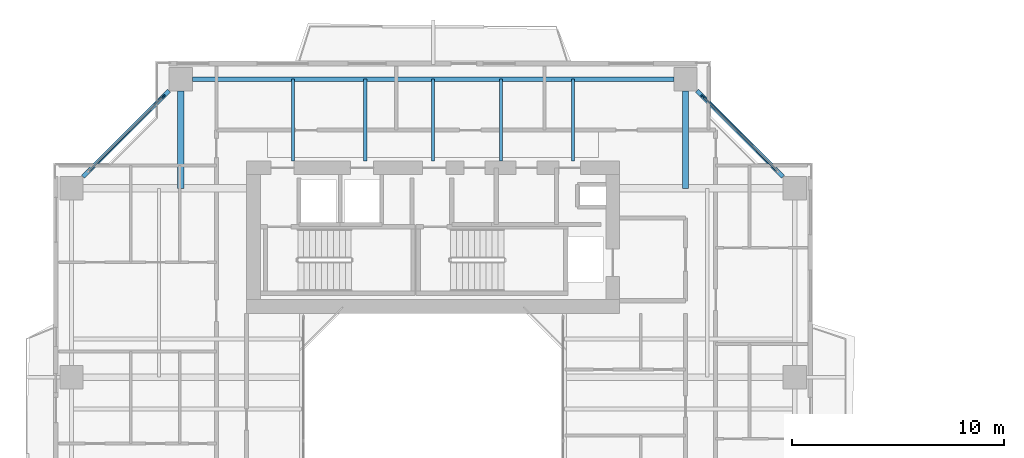
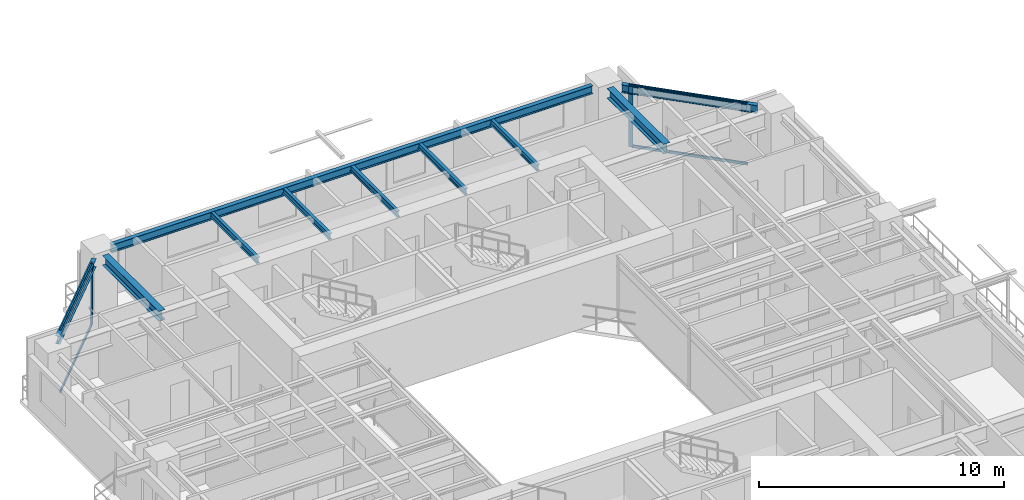
# One storey, part 10 of 24: 10 beams, 6 members, 2 elements without a shape of their own.
"""IFC4 building model written with IfcOpenShell, lengths in metres."""

from ifc_helpers import new_model, si_unit, direction, frame, origin, origin_2d, place, context, subcontext, project, spatial, rectangle, i_section, extrude, source, transform, mapped, material, layer, layer_set, material_profile, profile_set, type_object, element, aggregate, save


model = new_model("IFC4")

# Units and contexts
model_context = context("Model", 3, precision=1e-05, world=origin(), true_north=direction((0.0, 1.0)))
body_context = subcontext(model_context, "Body", "Model", "MODEL_VIEW")
ifc_project = project(units=[si_unit("LENGTHUNIT", "METRE"), si_unit("AREAUNIT", "SQUARE_METRE"), si_unit("VOLUMEUNIT", "CUBIC_METRE"), si_unit("PLANEANGLEUNIT", "RADIAN"), si_unit("MASSUNIT", "GRAM", prefix="KILO"), si_unit("THERMODYNAMICTEMPERATUREUNIT", "KELVIN"), si_unit("POWERUNIT", "WATT")], contexts=[model_context])

# Site, building, storey
site_placement = place(None, origin())
site = spatial("IfcSite", under=ifc_project, at=site_placement, CompositionType="ELEMENT")
building_placement = place(site_placement, origin())
building = spatial("IfcBuilding", under=site, at=building_placement, Name="Qiaomeng Ring Towers", CompositionType="ELEMENT")
storey_placement = place(building_placement, frame((0.0, 0.0, 110.0)))
storey = spatial("IfcBuildingStorey", under=building, at=storey_placement, Name="L31", CompositionType="ELEMENT", Elevation=110.0)

# Beams
ifc_material_1 = material(Name="Steel Q355B", Category="steel")
ifc_material_profile_1 = material_profile(ifc_material_1, i_section(OverallWidth=0.199951171875, OverallDepth=0.39990234375, WebThickness=0.008056640625, FlangeThickness=0.012939453125, FilletRadius=0.01611328125, at=origin_2d()), Name="HN 400x200x8x13")
ifc_profile_set_1 = profile_set([ifc_material_profile_1], Name="Steel Q355B")
beam_type_1 = type_object("IfcBeamType", Name="STR-BM-HN400", PredefinedType="SPANDREL", material=ifc_profile_set_1)
shared_shape_1 = source(origin(), body_context, "Body", "SweptSolid", [
    extrude(i_section(OverallWidth=0.199951171875, OverallDepth=0.39990234375, WebThickness=0.008056640625, FlangeThickness=0.012939453125, FilletRadius=0.01611328125, at=origin_2d()), origin(), (0.0, 0.0, 1.0), 22.7021484375),
])
beam_placement = place(storey_placement, frame((30.35107421875, 40.050048828125, 2.8701171875), z_axis=(-1.0, 0.0, 0.0), x_axis=(0.0, -1.0, 0.0)))
element("IfcBeam", 1, at=beam_placement, inside=storey, type_object=beam_type_1, Name="L31 beam STR-SP-L31-T1-N2-N1", PredefinedType="SPANDREL", context=body_context, shape_type="MappedRepresentation", body=[
    mapped(shared_shape_1, transform((0.0, 0.0, 0.0), x_axis=(1.0, 0.0, 0.0), y_axis=(0.0, 1.0, 0.0), z_axis=(0.0, 0.0, 1.0), scale=1.0)),
])
shared_shape_2 = source(origin(), body_context, "Body", "SweptSolid", [
    extrude(i_section(OverallWidth=0.199951171875, OverallDepth=0.39990234375, WebThickness=0.008056640625, FlangeThickness=0.012939453125, FilletRadius=0.01611328125, at=origin_2d()), origin(), (0.0, 0.0, 1.0), 5.729736328125),
])
for number, where, z_axis, x_axis, name in (
    (2, (35.500732421875, 35.44921875, 2.8701171875), (-0.707106781187, 0.707106781187, 0.0), (-0.707106781187, -0.707106781187, 0.0), "L31 beam STR-SP-L31-T1-E4-N2"),
    (3, (6.55078125, 39.500732421875, 2.8701171875), (-0.707106781187, -0.707106781187, 0.0), (0.707106781187, -0.707106781187, 0.0), "L31 beam STR-SP-L31-T1-N1-W4"),
):
    element("IfcBeam", number, at=place(storey_placement, frame(where, z_axis=z_axis, x_axis=x_axis)), inside=storey, type_object=beam_type_1, Name=name, PredefinedType="SPANDREL", context=body_context, shape_type="MappedRepresentation", body=[
        mapped(shared_shape_2, transform((0.0, 0.0, 0.0), x_axis=(1.0, 0.0, 0.0), y_axis=(0.0, 1.0, 0.0), z_axis=(0.0, 0.0, 1.0), scale=1.0)),
    ])
ifc_material_profile_2 = material_profile(ifc_material_1, i_section(OverallWidth=0.300048828125, OverallDepth=0.488037109375, WebThickness=0.010986328125, FlangeThickness=0.01806640625, FilletRadius=0.02587890625, at=origin_2d()), Name="HM 488x300x11x18")
ifc_profile_set_2 = profile_set([ifc_material_profile_2], Name="Steel Q355B")
beam_type_2 = type_object("IfcBeamType", Name="STR-BM-HM488", PredefinedType="BEAM", material=ifc_profile_set_2)
shared_shape_3 = source(origin(), body_context, "Body", "SweptSolid", [
    extrude(i_section(OverallWidth=0.300048828125, OverallDepth=0.488037109375, WebThickness=0.010986328125, FlangeThickness=0.01806640625, FilletRadius=0.02587890625, at=origin_2d()), origin(), (0.0, 0.0, 1.0), 4.60107421875),
])
for number, where, z_axis, x_axis, name in (
    (4, (7.10009765625, 39.5009765625, 2.825927734375), (0.0, -1.0, 0.0), (1.0, 0.0, 0.0), "L31 beam STR-BM-L31-T1-RAD-N1"),
    (5, (30.89990234375, 39.5009765625, 2.825927734375), (0.0, -1.0, 0.0), (1.0, 0.0, 0.0), "L31 beam STR-BM-L31-T1-RAD-N2"),
):
    element("IfcBeam", number, at=place(storey_placement, frame(where, z_axis=z_axis, x_axis=x_axis)), inside=storey, type_object=beam_type_2, Name=name, PredefinedType="BEAM", context=body_context, shape_type="MappedRepresentation", body=[
        mapped(shared_shape_3, transform((0.0, 0.0, 0.0), x_axis=(1.0, 0.0, 0.0), y_axis=(0.0, 1.0, 0.0), z_axis=(0.0, 0.0, 1.0), scale=1.0)),
    ])
ifc_material_profile_3 = material_profile(ifc_material_1, i_section(OverallWidth=0.14990234375, OverallDepth=0.300048828125, WebThickness=0.006591796875, FlangeThickness=0.009033203125, FilletRadius=0.012939453125, at=origin_2d()), Name="HN 300x150x6.5x9")
ifc_profile_set_3 = profile_set([ifc_material_profile_3], Name="Steel Q355B")
beam_type_3 = type_object("IfcBeamType", Name="STR-BM-HN300", PredefinedType="JOIST", material=ifc_profile_set_3)
shared_shape_4 = source(origin(), body_context, "Body", "SweptSolid", [
    extrude(i_section(OverallWidth=0.14990234375, OverallDepth=0.300048828125, WebThickness=0.006591796875, FlangeThickness=0.009033203125, FilletRadius=0.012939453125, at=origin_2d()), origin(), (0.0, 0.0, 1.0), 3.85009765625),
])
for number, where, z_axis, x_axis, name in (
    (6, (12.39990234375, 36.199951171875, 2.919921875), (0.0, 1.0, 0.0), (-1.0, 0.0, 0.0), "L31 beam STR-JST-L31-T1N-1"),
    (7, (15.800048828125, 36.199951171875, 2.919921875), (0.0, 1.0, 0.0), (-1.0, 0.0, 0.0), "L31 beam STR-JST-L31-T1N-2"),
    (8, (19.0, 36.199951171875, 2.919921875), (0.0, 1.0, 0.0), (-1.0, 0.0, 0.0), "L31 beam STR-JST-L31-T1N-3"),
    (9, (22.199951171875, 36.199951171875, 2.919921875), (0.0, 1.0, 0.0), (-1.0, 0.0, 0.0), "L31 beam STR-JST-L31-T1N-4"),
    (10, (25.60009765625, 36.199951171875, 2.919921875), (0.0, 1.0, 0.0), (-1.0, 0.0, 0.0), "L31 beam STR-JST-L31-T1N-5"),
):
    element("IfcBeam", number, at=place(storey_placement, frame(where, z_axis=z_axis, x_axis=x_axis)), inside=storey, type_object=beam_type_3, Name=name, PredefinedType="JOIST", context=body_context, shape_type="MappedRepresentation", body=[
        mapped(shared_shape_4, transform((0.0, 0.0, 0.0), x_axis=(1.0, 0.0, 0.0), y_axis=(0.0, 1.0, 0.0), z_axis=(0.0, 0.0, 1.0), scale=1.0)),
    ])

# Curtain wall, member
ifc_material_2 = material(Name="Fluorocarbon dark-grey aluminium", Category="aluminium")
ifc_layer = layer(ifc_material_2, 0.14990234375, Name="Fluorocarbon dark-grey aluminium")
ifc_layer_set = layer_set([ifc_layer], Name="Fluorocarbon dark-grey aluminium")
curtain_wall_type = type_object("IfcCurtainWallType", Name="ARC-CW-3", PredefinedType="NOTDEFINED", material=ifc_layer_set)
curtain_wall_1_placement = place(storey_placement, origin())
curtain_wall_1 = element("IfcCurtainWall", 11, at=curtain_wall_1_placement, inside=storey, type_object=curtain_wall_type, Name="L31 Curtain Wall CW3", PredefinedType="NOTDEFINED")
ifc_material_profile_4 = material_profile(ifc_material_2, rectangle(XDim=0.070068359375, YDim=0.179931640625, at=origin_2d()), Name="ALU MULL 70x180")
ifc_profile_set_4 = profile_set([ifc_material_profile_4], Name="Fluorocarbon dark-grey aluminium")
member_type_1 = type_object("IfcMemberType", Name="ARC-CWM-160", PredefinedType="MULLION", material=ifc_profile_set_4)
shared_shape_5 = source(origin(), body_context, "Body", "SweptSolid", [
    extrude(rectangle(XDim=0.070068359375, YDim=0.179931640625, at=origin_2d()), origin(), (0.0, 0.0, 1.0), 3.070068359375),
])
member_1_placement = place(storey_placement, frame((31.71484375, 39.2353515625, 0.0), z_axis=(0.0, 0.0, 1.0), x_axis=(-0.707106781187, -0.707106781187, 0.0)))
member_1 = element("IfcMember", 12, at=member_1_placement, type_object=member_type_1, Name="CW3 mullion 2", PredefinedType="MULLION", context=body_context, shape_type="MappedRepresentation", body=[
    mapped(shared_shape_5, transform((0.0, 0.0, 0.0), x_axis=(1.0, 0.0, 0.0), y_axis=(0.0, 1.0, 0.0), z_axis=(0.0, 0.0, 1.0), scale=1.0)),
])

curtain_wall_2_placement = place(storey_placement, origin())
curtain_wall_2 = element("IfcCurtainWall", 13, at=curtain_wall_2_placement, inside=storey, type_object=curtain_wall_type, Name="L31 Curtain Wall CW3", PredefinedType="NOTDEFINED")
member_2_placement = place(storey_placement, frame((6.28515625, 39.2353515625, 0.0), z_axis=(0.0, 0.0, 1.0), x_axis=(0.707106781187, -0.707106781187, 0.0)))
member_2 = element("IfcMember", 14, at=member_2_placement, type_object=member_type_1, Name="CW3 mullion 1", PredefinedType="MULLION", context=body_context, shape_type="MappedRepresentation", body=[
    mapped(shared_shape_5, transform((0.0, 0.0, 0.0), x_axis=(1.0, 0.0, 0.0), y_axis=(0.0, 1.0, 0.0), z_axis=(0.0, 0.0, 1.0), scale=1.0)),
])

# Member
ifc_material_profile_5 = material_profile(ifc_material_2, rectangle(XDim=0.06494140625, YDim=0.1298828125, at=origin_2d()), Name="ALU TRAN 65x130")
ifc_profile_set_5 = profile_set([ifc_material_profile_5], Name="Fluorocarbon dark-grey aluminium")
member_type_2 = type_object("IfcMemberType", Name="ARC-CWT-120", PredefinedType="USERDEFINED", material=ifc_profile_set_5)
shared_shape_6 = source(origin(), body_context, "Body", "SweptSolid", [
    extrude(rectangle(XDim=0.06494140625, YDim=0.1298828125, at=origin_2d()), origin(), (0.0, 0.0, 1.0), 4.90869140625),
])
member_3_placement = place(storey_placement, frame((35.21044921875, 35.739501953125, 0.032470703125), z_axis=(-0.707106781187, 0.707106781187, 0.0), x_axis=(-0.707106781187, -0.707106781187, 0.0)))
member_3 = element("IfcMember", 15, at=member_3_placement, type_object=member_type_2, Name="CW3 transom 1.1", ObjectType="TRANSOM", PredefinedType="USERDEFINED", context=body_context, shape_type="MappedRepresentation", body=[
    mapped(shared_shape_6, transform((0.0, 0.0, 0.0), x_axis=(1.0, 0.0, 0.0), y_axis=(0.0, 1.0, 0.0), z_axis=(0.0, 0.0, 1.0), scale=1.0)),
])

member_4_placement = place(storey_placement, frame((35.21044921875, 35.739501953125, 3.03759765625), z_axis=(-0.707106781187, 0.707106781187, 0.0), x_axis=(-0.707106781187, -0.707106781187, 0.0)))
member_4 = element("IfcMember", 16, at=member_4_placement, type_object=member_type_2, Name="CW3 transom 1.2", ObjectType="TRANSOM", PredefinedType="USERDEFINED", context=body_context, shape_type="MappedRepresentation", body=[
    mapped(shared_shape_6, transform((0.0, 0.0, 0.0), x_axis=(1.0, 0.0, 0.0), y_axis=(0.0, 1.0, 0.0), z_axis=(0.0, 0.0, 1.0), scale=1.0)),
])

aggregate(curtain_wall_1, [member_1, member_3, member_4])

member_5_placement = place(storey_placement, frame((6.260498046875, 39.21044921875, 0.032470703125), z_axis=(-0.707106781187, -0.707106781187, 0.0), x_axis=(0.707106781187, -0.707106781187, 0.0)))
member_5 = element("IfcMember", 17, at=member_5_placement, type_object=member_type_2, Name="CW3 transom 1.1", ObjectType="TRANSOM", PredefinedType="USERDEFINED", context=body_context, shape_type="MappedRepresentation", body=[
    mapped(shared_shape_6, transform((0.0, 0.0, 0.0), x_axis=(1.0, 0.0, 0.0), y_axis=(0.0, 1.0, 0.0), z_axis=(0.0, 0.0, 1.0), scale=1.0)),
])

member_6_placement = place(storey_placement, frame((6.260498046875, 39.21044921875, 3.03759765625), z_axis=(-0.707106781187, -0.707106781187, 0.0), x_axis=(0.707106781187, -0.707106781187, 0.0)))
member_6 = element("IfcMember", 18, at=member_6_placement, type_object=member_type_2, Name="CW3 transom 1.2", ObjectType="TRANSOM", PredefinedType="USERDEFINED", context=body_context, shape_type="MappedRepresentation", body=[
    mapped(shared_shape_6, transform((0.0, 0.0, 0.0), x_axis=(1.0, 0.0, 0.0), y_axis=(0.0, 1.0, 0.0), z_axis=(0.0, 0.0, 1.0), scale=1.0)),
])

aggregate(curtain_wall_2, [member_2, member_5, member_6])

save(model, "model.ifc")
